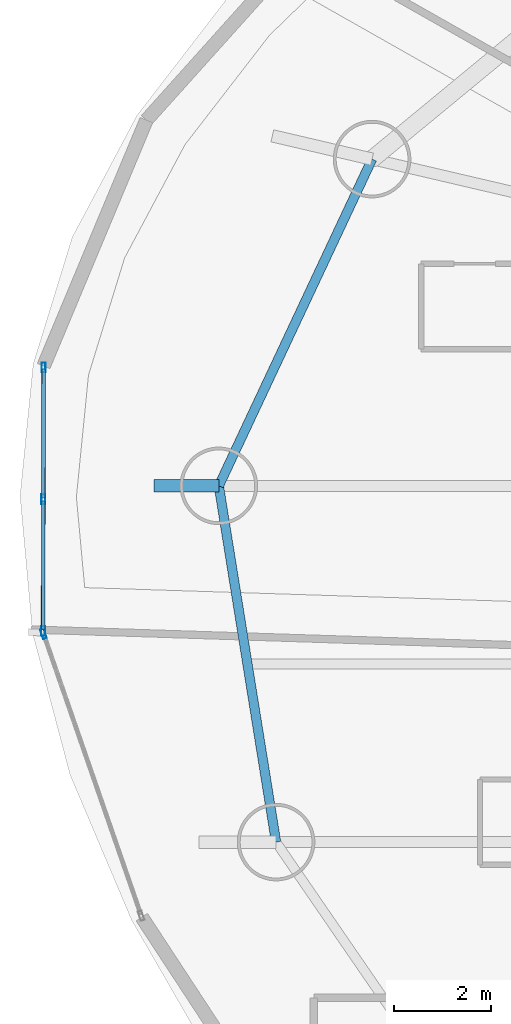
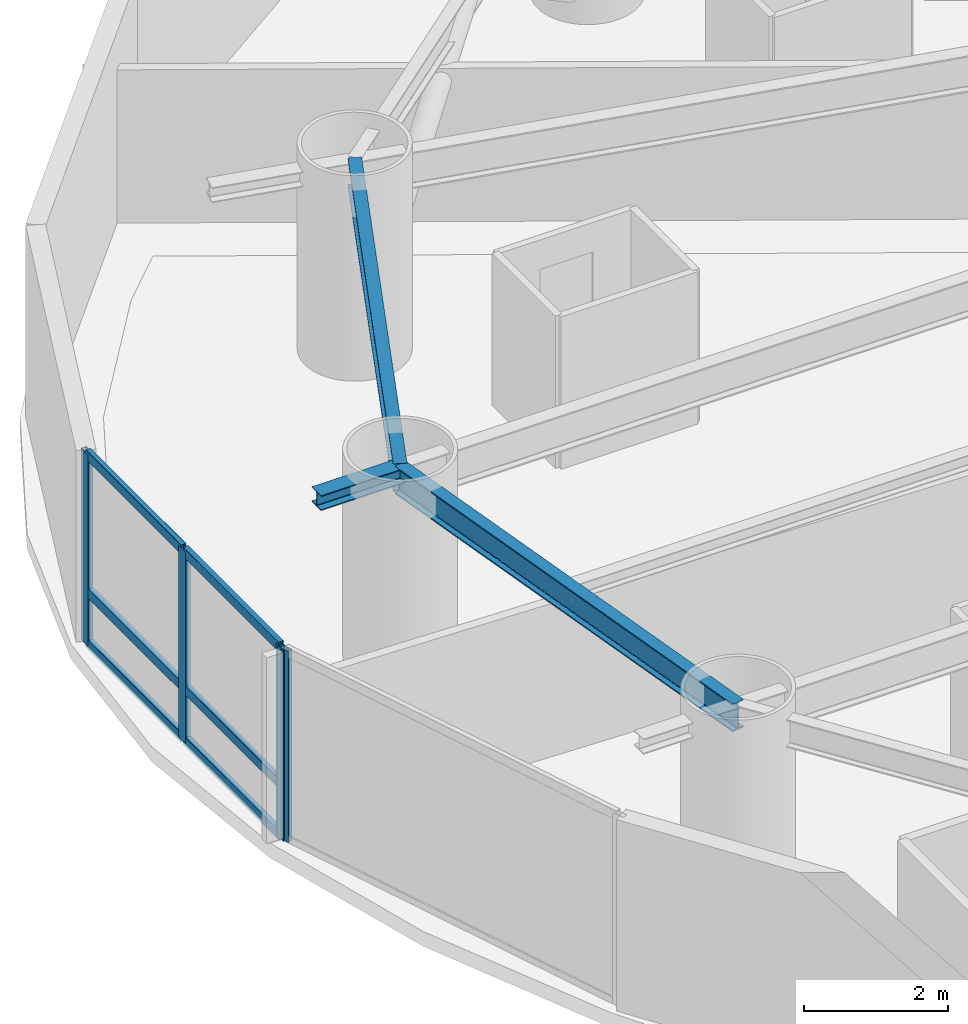
# One storey, part 6 of 27: 10 members, 3 beams, 2 elements without a shape of their own.
"""IFC4 building model written with IfcOpenShell, lengths in metres."""

from ifc_helpers import new_model, si_unit, direction, frame, origin, origin_2d, place, context, subcontext, project, spatial, hollow_rectangle, i_section, extrude, material, layer, layer_set, material_profile, profile_set, type_object, element, aggregate, save


model = new_model("IFC4")

# Units and contexts
model_context = context("Model", 3, precision=1e-05, world=origin(), true_north=direction((0.0, 1.0)))
body_context = subcontext(model_context, "Body", "Model", "MODEL_VIEW")
ifc_project = project(units=[si_unit("LENGTHUNIT", "METRE"), si_unit("AREAUNIT", "SQUARE_METRE"), si_unit("VOLUMEUNIT", "CUBIC_METRE"), si_unit("PLANEANGLEUNIT", "RADIAN"), si_unit("MASSUNIT", "GRAM", prefix="KILO")], contexts=[model_context])

# Site, building, storey
site_placement = place(None, origin())
site = spatial("IfcSite", under=ifc_project, at=site_placement, CompositionType="ELEMENT")
building_placement = place(site_placement, origin())
building = spatial("IfcBuilding", under=site, at=building_placement, Name="Bramvorn Convention Spire", CompositionType="ELEMENT")
storey_placement = place(building_placement, frame((0.0, 0.0, 79.89990234375)))
storey = spatial("IfcBuildingStorey", under=building, at=storey_placement, Name="L18", CompositionType="ELEMENT", Elevation=79.89990234375)

# Beams
ifc_material_1 = material(Name="Steel CSA G40.21 Grade 350 (350W)", Category="steel")
ifc_material_profile_1 = material_profile(ifc_material_1, i_section(OverallWidth=0.25390625, OverallDepth=0.2529296875, WebThickness=0.008544921875, FlangeThickness=0.01416015625, FilletRadius=0.011962890625, at=origin_2d()))
ifc_profile_set_1 = profile_set([ifc_material_profile_1], Name="Steel CSA G40.21 Grade 350 (350W) - W250X73")
beam_type_1 = type_object("IfcBeamType", Name="BM-W250X73", PredefinedType="BEAM", material=ifc_profile_set_1)
beam_placement = place(storey_placement, frame((9.480224609375, 30.00830078125, 3.12353515625), z_axis=(-1.0, 0.0, 0.0), x_axis=(0.0, -1.0, 0.0)))
element("IfcBeam", 1, at=beam_placement, inside=storey, type_object=beam_type_1, Name="L18 slab-edge cantilever tip beam MC09", PredefinedType="BEAM", context=body_context, shape_type="SweptSolid", body=[
    extrude(i_section(OverallWidth=0.25390625, OverallDepth=0.2529296875, WebThickness=0.008544921875, FlangeThickness=0.01416015625, FilletRadius=0.011962890625, at=origin_2d()), origin(), (0.0, 0.0, 1.0), 1.340576171875),
])
ifc_material_profile_2 = material_profile(ifc_material_1, i_section(OverallWidth=0.194091796875, OverallDepth=0.468994140625, WebThickness=0.0126953125, FlangeThickness=0.0205078125, FilletRadius=0.01806640625, at=origin_2d()))
ifc_profile_set_2 = profile_set([ifc_material_profile_2], Name="Steel CSA G40.21 Grade 350 (350W) - W460X106")
beam_type_2 = type_object("IfcBeamType", Name="BM-W460X106", PredefinedType="SPANDREL", material=ifc_profile_set_2)
for number, where, z_axis, x_axis, name in (
    (2, (12.64111328125, 36.746337890625, 3.015625), (-0.424701955478, -0.9053332254, 0.0), (0.9053332254, -0.424701955478, 0.0), "L18 mega-column ring beam 08"),
    (3, (9.480224609375, 30.00830078125, 3.015625), (0.158699222824, -0.987326975563, 0.0), (0.987326975563, 0.158699222824, 0.0), "L18 mega-column ring beam 09"),
):
    element("IfcBeam", number, at=place(storey_placement, frame(where, z_axis=z_axis, x_axis=x_axis)), inside=storey, type_object=beam_type_2, Name=name, PredefinedType="SPANDREL", context=body_context, shape_type="SweptSolid", body=[
        extrude(i_section(OverallWidth=0.194091796875, OverallDepth=0.468994140625, WebThickness=0.0126953125, FlangeThickness=0.0205078125, FilletRadius=0.01806640625, at=origin_2d()), origin(), (0.0, 0.0, 1.0), 7.442626953125),
    ])

# Curtain wall, members
ifc_material_2 = material(Name="Anodised Bronze Unitised Curtain Wall", Category="aluminium")
ifc_layer = layer(ifc_material_2, 0.179931640625)
ifc_layer_set = layer_set([ifc_layer], Name="Anodised Bronze Unitised Curtain Wall - CW-HTL-FRIT")
curtain_wall_type = type_object("IfcCurtainWallType", Name="CW-HTL-FRIT", PredefinedType="USERDEFINED", material=ifc_layer_set)
curtain_wall_1_placement = place(storey_placement, origin())
curtain_wall_1 = element("IfcCurtainWall", 4, at=curtain_wall_1_placement, inside=storey, type_object=curtain_wall_type, Name="L18 fritted glass curtain wall 13", ObjectType="UNITISED CURTAIN WALL", PredefinedType="USERDEFINED")
ifc_material_3 = material(Name="Anodised Bronze Aluminium 6063-T6", Category="aluminium")
ifc_material_profile_3 = material_profile(ifc_material_3, hollow_rectangle(XDim=0.080078125, YDim=0.199951171875, WallThickness=0.00390625, InnerFilletRadius=0.0009765625, OuterFilletRadius=0.00390625, at=origin_2d()))
ifc_profile_set_3 = profile_set([ifc_material_profile_3], Name="Anodised Bronze Aluminium 6063-T6 - CWM80X200")
member_type_1 = type_object("IfcMemberType", Name="CW-MUL-180", PredefinedType="MULLION", material=ifc_profile_set_3)
member_1_placement = place(storey_placement, frame((5.85595703125, 27.01171875, 0.0), z_axis=(0.0, 0.0, 1.0), x_axis=(-0.999998105818, 0.001946370964, 0.0)))
member_1 = element("IfcMember", 5, at=member_1_placement, type_object=member_type_1, Name="CW2 mullion 1", PredefinedType="MULLION", context=body_context, shape_type="SweptSolid", body=[
    extrude(hollow_rectangle(XDim=0.080078125, YDim=0.199951171875, WallThickness=0.00390625, InnerFilletRadius=0.0009765625, OuterFilletRadius=0.00390625, at=origin_2d()), origin(), (0.0, 0.0, 1.0), 3.25),
])
member_2_placement = place(storey_placement, frame((5.861328125, 29.73046875, 0.0), z_axis=(0.0, 0.0, 1.0), x_axis=(-0.999998105818, 0.001946370964, 0.0)))
member_2 = element("IfcMember", 6, at=member_2_placement, type_object=member_type_1, Name="CW2 mullion 2", PredefinedType="MULLION", context=body_context, shape_type="SweptSolid", body=[
    extrude(hollow_rectangle(XDim=0.080078125, YDim=0.199951171875, WallThickness=0.00390625, InnerFilletRadius=0.0009765625, OuterFilletRadius=0.00390625, at=origin_2d()), origin(), (0.0, 0.0, 1.0), 3.25),
])
member_3_placement = place(storey_placement, frame((5.86669921875, 32.44921875, 0.0), z_axis=(0.0, 0.0, 1.0), x_axis=(-0.999998105818, 0.001946370964, 0.0)))
member_3 = element("IfcMember", 7, at=member_3_placement, type_object=member_type_1, Name="CW2 mullion 3", PredefinedType="MULLION", context=body_context, shape_type="SweptSolid", body=[
    extrude(hollow_rectangle(XDim=0.080078125, YDim=0.199951171875, WallThickness=0.00390625, InnerFilletRadius=0.0009765625, OuterFilletRadius=0.00390625, at=origin_2d()), origin(), (0.0, 0.0, 1.0), 3.25),
])

# Curtain wall, member
curtain_wall_2_placement = place(storey_placement, origin())
curtain_wall_2 = element("IfcCurtainWall", 8, at=curtain_wall_2_placement, inside=storey, type_object=curtain_wall_type, Name="L18 fritted glass curtain wall 14", ObjectType="UNITISED CURTAIN WALL", PredefinedType="USERDEFINED")
member_4_placement = place(storey_placement, frame((5.86572265625, 26.953369140625, 0.0), z_axis=(0.0, 0.0, 1.0), x_axis=(-0.944830751517, -0.327558927504, 0.0)))
member_4 = element("IfcMember", 9, at=member_4_placement, type_object=member_type_1, Name="CW2 mullion 2", PredefinedType="MULLION", context=body_context, shape_type="SweptSolid", body=[
    extrude(hollow_rectangle(XDim=0.080078125, YDim=0.199951171875, WallThickness=0.00390625, InnerFilletRadius=0.0009765625, OuterFilletRadius=0.00390625, at=origin_2d()), origin(), (0.0, 0.0, 1.0), 3.25),
])
aggregate(curtain_wall_2, [member_4])

# Member
ifc_material_profile_4 = material_profile(ifc_material_3, hollow_rectangle(XDim=0.080078125, YDim=0.159912109375, WallThickness=0.00390625, InnerFilletRadius=0.0009765625, OuterFilletRadius=0.00390625, at=origin_2d()))
ifc_profile_set_4 = profile_set([ifc_material_profile_4], Name="Anodised Bronze Aluminium 6063-T6 - CWT80X160")
member_type_2 = type_object("IfcMemberType", Name="CW-TRN-150", PredefinedType="USERDEFINED", material=ifc_profile_set_4)
member_5_placement = place(storey_placement, frame((5.856201171875, 27.041748046875, 0.030029296875), z_axis=(0.00192837107, 0.999998140691, 0.0), x_axis=(-0.999998140691, 0.00192837107, 0.0)))
member_5 = element("IfcMember", 10, at=member_5_placement, type_object=member_type_2, Name="CW2 transom 1.1", ObjectType="TRANSOM", PredefinedType="USERDEFINED", context=body_context, shape_type="SweptSolid", body=[
    extrude(hollow_rectangle(XDim=0.080078125, YDim=0.159912109375, WallThickness=0.00390625, InnerFilletRadius=0.0009765625, OuterFilletRadius=0.00390625, at=origin_2d()), origin(), (0.0, 0.0, 1.0), 2.65869140625),
])

member_6_placement = place(storey_placement, frame((5.856201171875, 27.041748046875, 0.900146484375), z_axis=(0.00192837107, 0.999998140691, 0.0), x_axis=(-0.999998140691, 0.00192837107, 0.0)))
member_6 = element("IfcMember", 11, at=member_6_placement, type_object=member_type_2, Name="CW2 transom 1.2", ObjectType="TRANSOM", PredefinedType="USERDEFINED", context=body_context, shape_type="SweptSolid", body=[
    extrude(hollow_rectangle(XDim=0.080078125, YDim=0.159912109375, WallThickness=0.00390625, InnerFilletRadius=0.0009765625, OuterFilletRadius=0.00390625, at=origin_2d()), origin(), (0.0, 0.0, 1.0), 2.65869140625),
])

member_7_placement = place(storey_placement, frame((5.856201171875, 27.041748046875, 3.22021484375), z_axis=(0.00192837107, 0.999998140691, 0.0), x_axis=(-0.999998140691, 0.00192837107, 0.0)))
member_7 = element("IfcMember", 12, at=member_7_placement, type_object=member_type_2, Name="CW2 transom 1.3", ObjectType="TRANSOM", PredefinedType="USERDEFINED", context=body_context, shape_type="SweptSolid", body=[
    extrude(hollow_rectangle(XDim=0.080078125, YDim=0.159912109375, WallThickness=0.00390625, InnerFilletRadius=0.0009765625, OuterFilletRadius=0.00390625, at=origin_2d()), origin(), (0.0, 0.0, 1.0), 2.65869140625),
])

member_8_placement = place(storey_placement, frame((5.861328125, 29.760498046875, 0.030029296875), z_axis=(0.002020197898, 0.999997959398, 0.0), x_axis=(-0.999997959398, 0.002020197898, 0.0)))
member_8 = element("IfcMember", 13, at=member_8_placement, type_object=member_type_2, Name="CW2 transom 2.1", ObjectType="TRANSOM", PredefinedType="USERDEFINED", context=body_context, shape_type="SweptSolid", body=[
    extrude(hollow_rectangle(XDim=0.080078125, YDim=0.159912109375, WallThickness=0.00390625, InnerFilletRadius=0.0009765625, OuterFilletRadius=0.00390625, at=origin_2d()), origin(), (0.0, 0.0, 1.0), 2.65869140625),
])

member_9_placement = place(storey_placement, frame((5.861328125, 29.760498046875, 0.900146484375), z_axis=(0.002020197898, 0.999997959398, 0.0), x_axis=(-0.999997959398, 0.002020197898, 0.0)))
member_9 = element("IfcMember", 14, at=member_9_placement, type_object=member_type_2, Name="CW2 transom 2.2", ObjectType="TRANSOM", PredefinedType="USERDEFINED", context=body_context, shape_type="SweptSolid", body=[
    extrude(hollow_rectangle(XDim=0.080078125, YDim=0.159912109375, WallThickness=0.00390625, InnerFilletRadius=0.0009765625, OuterFilletRadius=0.00390625, at=origin_2d()), origin(), (0.0, 0.0, 1.0), 2.65869140625),
])

member_10_placement = place(storey_placement, frame((5.861328125, 29.760498046875, 3.22021484375), z_axis=(0.002020197898, 0.999997959398, 0.0), x_axis=(-0.999997959398, 0.002020197898, 0.0)))
member_10 = element("IfcMember", 15, at=member_10_placement, type_object=member_type_2, Name="CW2 transom 2.3", ObjectType="TRANSOM", PredefinedType="USERDEFINED", context=body_context, shape_type="SweptSolid", body=[
    extrude(hollow_rectangle(XDim=0.080078125, YDim=0.159912109375, WallThickness=0.00390625, InnerFilletRadius=0.0009765625, OuterFilletRadius=0.00390625, at=origin_2d()), origin(), (0.0, 0.0, 1.0), 2.65869140625),
])

aggregate(curtain_wall_1, [member_1, member_2, member_3, member_5, member_6, member_7, member_8, member_9, member_10])

save(model, "model.ifc")
